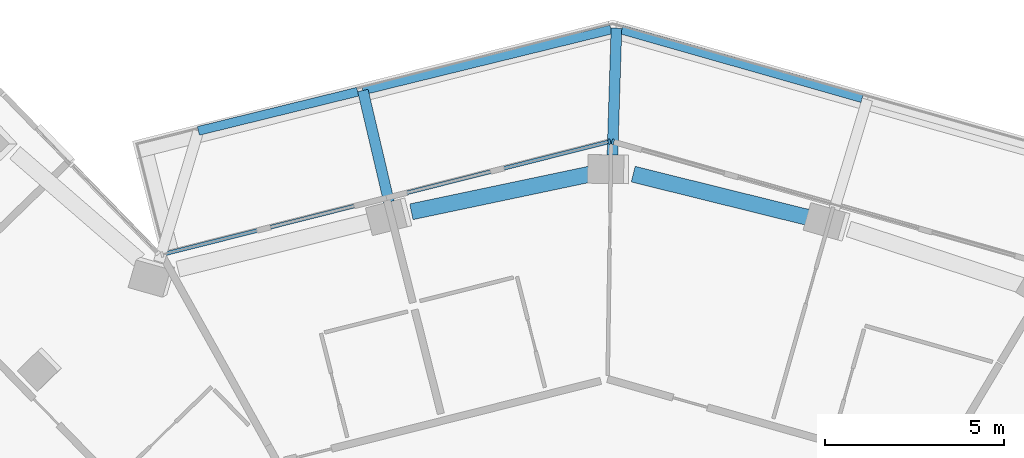
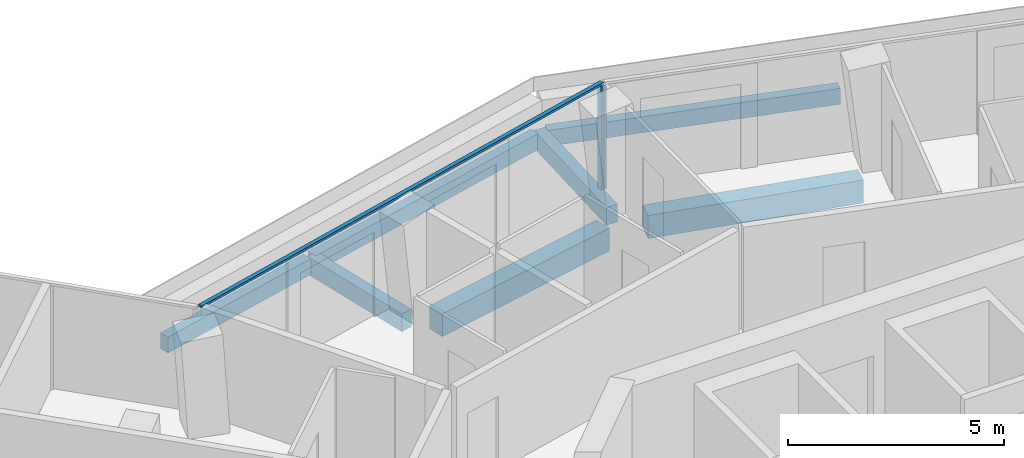
# One storey, part 8 of 24: 7 beams, 3 members, 2 elements without a shape of their own.
"""IFC4 building model written with IfcOpenShell, lengths in metres."""

from ifc_helpers import new_model, si_unit, direction, frame, origin, origin_2d, place, context, subcontext, project, spatial, rectangle, extrude, material, layer, layer_set, material_profile, profile_set, type_object, element, aggregate, save


model = new_model("IFC4")

# Units and contexts
model_context = context("Model", 3, precision=1e-05, world=origin(), true_north=direction((0.0, 1.0)))
body_context = subcontext(model_context, "Body", "Model", "MODEL_VIEW")
ifc_project = project(units=[si_unit("LENGTHUNIT", "METRE"), si_unit("AREAUNIT", "SQUARE_METRE"), si_unit("VOLUMEUNIT", "CUBIC_METRE"), si_unit("PLANEANGLEUNIT", "RADIAN"), si_unit("MASSUNIT", "GRAM", prefix="KILO")], contexts=[model_context])

# Site, building, storey
site_placement = place(None, origin())
site = spatial("IfcSite", under=ifc_project, at=site_placement, CompositionType="ELEMENT")
building_placement = place(site_placement, origin())
building = spatial("IfcBuilding", under=site, at=building_placement, Name="Verdalira Terraces Hotel", CompositionType="ELEMENT")
storey_placement = place(building_placement, frame((0.0, 0.0, 212.5)))
storey = spatial("IfcBuildingStorey", under=building, at=storey_placement, Name="L52", CompositionType="ELEMENT", Elevation=212.5)

# Beams
ifc_material_1 = material(Name="Concrete C40", Category="concrete")
ifc_material_profile_1 = material_profile(ifc_material_1, rectangle(XDim=0.300049, YDim=0.5, at=origin_2d()), Name="RC 300X500")
ifc_profile_set_1 = profile_set([ifc_material_profile_1], Name="Concrete C40")
beam_type_1 = type_object("IfcBeamType", Name="Balcony cantilever beam RC 300X500 C40", PredefinedType="BEAM", material=ifc_profile_set_1)
beam_1_placement = place(storey_placement, frame((0.404053, 24.651123, -0.560059), z_axis=(0.03140677, 0.999506686, 0.0), x_axis=(-0.999506686, 0.03140677, 0.0)))
element("IfcBeam", 1, at=beam_1_placement, inside=storey, type_object=beam_type_1, Name="Balcony cantilever beam R40-3", PredefinedType="BEAM", context=body_context, shape_type="SweptSolid", body=[
    extrude(rectangle(XDim=0.300049, YDim=0.5, at=origin_2d()), origin(), (0.0, 0.0, 1.0), 3.544678),
])
beam_2_placement = place(storey_placement, frame((-5.844727, 23.337158, -0.560059), z_axis=(-0.228350601, 0.973578966, 0.0), x_axis=(-0.973578966, -0.228350601, 0.0)))
element("IfcBeam", 2, at=beam_2_placement, inside=storey, type_object=beam_type_1, Name="Balcony cantilever beam R40-4", PredefinedType="BEAM", context=body_context, shape_type="SweptSolid", body=[
    extrude(rectangle(XDim=0.300049, YDim=0.5, at=origin_2d()), origin(), (0.0, 0.0, 1.0), 3.200928),
])
ifc_material_2 = material(Name="Concrete C40", Category="concrete")
ifc_material_profile_2 = material_profile(ifc_material_2, rectangle(XDim=0.25, YDim=0.449951, at=origin_2d()), Name="RC 250X450")
ifc_profile_set_2 = profile_set([ifc_material_profile_2], Name="Concrete C40")
beam_type_2 = type_object("IfcBeamType", Name="Balcony edge beam RC 250X450 C40", PredefinedType="BEAM", material=ifc_profile_set_2)
beam_3_placement = place(storey_placement, frame((7.387695, 26.238281, -0.534912), z_axis=(-0.961802851, 0.273743082, 0.0), x_axis=(-0.273743082, -0.961802851, 0.0)))
element("IfcBeam", 3, at=beam_3_placement, inside=storey, type_object=beam_type_2, Name="Balcony edge beam R40-2", PredefinedType="BEAM", context=body_context, shape_type="SweptSolid", body=[
    extrude(rectangle(XDim=0.25, YDim=0.449951, at=origin_2d()), origin(), (0.0, 0.0, 1.0), 6.990479),
])
beam_4_placement = place(storey_placement, frame((0.364258, 28.156982, -0.534912), z_axis=(-0.971174591, -0.238369279, 0.0), x_axis=(0.238369279, -0.971174591, 0.0)))
element("IfcBeam", 4, at=beam_4_placement, inside=storey, type_object=beam_type_2, Name="Balcony edge beam R40-3", PredefinedType="BEAM", context=body_context, shape_type="SweptSolid", body=[
    extrude(rectangle(XDim=0.25, YDim=0.449951, at=origin_2d()), origin(), (0.0, 0.0, 1.0), 7.145996),
])
beam_5_placement = place(storey_placement, frame((-6.721436, 26.417725, -0.534912), z_axis=(-0.971062383, -0.238825979, 0.0), x_axis=(0.238825979, -0.971062383, 0.0)))
element("IfcBeam", 5, at=beam_5_placement, inside=storey, type_object=beam_type_2, Name="Balcony edge beam R40-4", PredefinedType="BEAM", context=body_context, shape_type="SweptSolid", body=[
    extrude(rectangle(XDim=0.25, YDim=0.449951, at=origin_2d()), origin(), (0.0, 0.0, 1.0), 4.585938),
])

# Curtain wall, member
ifc_material_3 = material(Name="Clear glass", Category="glass")
ifc_layer = layer(ifc_material_3, 0.14990234375)
ifc_layer_set = layer_set([ifc_layer], Name="CW1 curtain wall")
curtain_wall_type = type_object("IfcCurtainWallType", Name="CW1 curtain wall", PredefinedType="NOTDEFINED", material=ifc_layer_set)
curtain_wall_1_placement = place(storey_placement, origin())
curtain_wall_1 = element("IfcCurtainWall", 6, at=curtain_wall_1_placement, inside=storey, type_object=curtain_wall_type, Name="CW1 curtain wall L52 edge 40", PredefinedType="NOTDEFINED")
ifc_material_4 = material(Name="Terracotta frame", Category="masonry")
ifc_material_profile_3 = material_profile(ifc_material_4, rectangle(XDim=0.060059, YDim=0.149902, at=origin_2d()), Name="MU 60x150")
ifc_profile_set_3 = profile_set([ifc_material_profile_3], Name="Terracotta frame")
member_type_1 = type_object("IfcMemberType", Name="CW1 mullion 60x150", PredefinedType="MULLION", material=ifc_profile_set_3)
member_1_placement = place(storey_placement, frame((0.415283, 25.02002, 0.0), z_axis=(0.0, 0.0, 1.0), x_axis=(-0.962027672, 0.272951936, 0.0)))
member_1 = element("IfcMember", 7, at=member_1_placement, type_object=member_type_1, Name="CW1 mullion", PredefinedType="MULLION", context=body_context, shape_type="SweptSolid", body=[
    extrude(rectangle(XDim=0.060059, YDim=0.149902, at=origin_2d()), origin(), (0.0, 0.0, 1.0), 2.935059),
])
aggregate(curtain_wall_1, [member_1])

# Curtain wall, members
curtain_wall_2_placement = place(storey_placement, origin())
curtain_wall_2 = element("IfcCurtainWall", 8, at=curtain_wall_2_placement, inside=storey, type_object=curtain_wall_type, Name="CW1 curtain wall L52 edge 41", PredefinedType="NOTDEFINED")
member_2_placement = place(storey_placement, frame((0.318359, 25.021484, 0.0), z_axis=(0.0, 0.0, 1.0), x_axis=(-0.96961637, -0.244630526, 0.0)))
member_2 = element("IfcMember", 9, at=member_2_placement, type_object=member_type_1, Name="CW1 mullion", PredefinedType="MULLION", context=body_context, shape_type="SweptSolid", body=[
    extrude(rectangle(XDim=0.060059, YDim=0.149902, at=origin_2d()), origin(), (0.0, 0.0, 1.0), 2.935059),
])
ifc_material_5 = material(Name="Terracotta frame", Category="masonry")
ifc_material_profile_4 = material_profile(ifc_material_5, rectangle(XDim=0.110107, YDim=0.064941, at=origin_2d()), Name="TR 65x110")
ifc_profile_set_4 = profile_set([ifc_material_profile_4], Name="Terracotta frame")
member_type_2 = type_object("IfcMemberType", Name="CW1 transom 65x110", PredefinedType="USERDEFINED", material=ifc_profile_set_4)
member_3_placement = place(storey_placement, frame((0.347656, 25.028809, 2.967529), z_axis=(-0.969616092, -0.244631629, 0.0), x_axis=(0.244631629, -0.969616092, 0.0)))
member_3 = element("IfcMember", 10, at=member_3_placement, type_object=member_type_2, Name="CW1 transom", ObjectType="TRANSOM", PredefinedType="USERDEFINED", context=body_context, shape_type="SweptSolid", body=[
    extrude(rectangle(XDim=0.110107, YDim=0.064941, at=origin_2d()), origin(), (0.0, 0.0, 1.0), 12.959961),
])
aggregate(curtain_wall_2, [member_2, member_3])

# Beams
ifc_material_6 = material(Name="Concrete C50", Category="concrete")
ifc_material_profile_5 = material_profile(ifc_material_6, rectangle(XDim=0.449951, YDim=0.649902, at=origin_2d()), Name="RC 450X650")
ifc_profile_set_5 = profile_set([ifc_material_profile_5], Name="Concrete C50")
beam_type_3 = type_object("IfcBeamType", Name="Spandrel beam RC 450X650 C50", PredefinedType="SPANDREL", material=ifc_profile_set_5)
beam_6_placement = place(storey_placement, frame((6.022461, 22.864746, -0.63501), z_axis=(-0.970649564, 0.240498283, 0.0), x_axis=(-0.240498283, -0.970649564, 0.0)))
element("IfcBeam", 11, at=beam_6_placement, inside=storey, type_object=beam_type_3, Name="Spandrel beam B21", PredefinedType="SPANDREL", context=body_context, shape_type="SweptSolid", body=[
    extrude(rectangle(XDim=0.449951, YDim=0.649902, at=origin_2d()), origin(), (0.0, 0.0, 1.0), 5.189453),
])
beam_7_placement = place(storey_placement, frame((-0.138672, 24.130859, -0.63501), z_axis=(-0.978552279, -0.205998632, 0.0), x_axis=(0.205998632, -0.978552279, 0.0)))
element("IfcBeam", 12, at=beam_7_placement, inside=storey, type_object=beam_type_3, Name="Spandrel beam B22", PredefinedType="SPANDREL", context=body_context, shape_type="SweptSolid", body=[
    extrude(rectangle(XDim=0.449951, YDim=0.649902, at=origin_2d()), origin(), (0.0, 0.0, 1.0), 5.192139),
])

save(model, "model.ifc")
